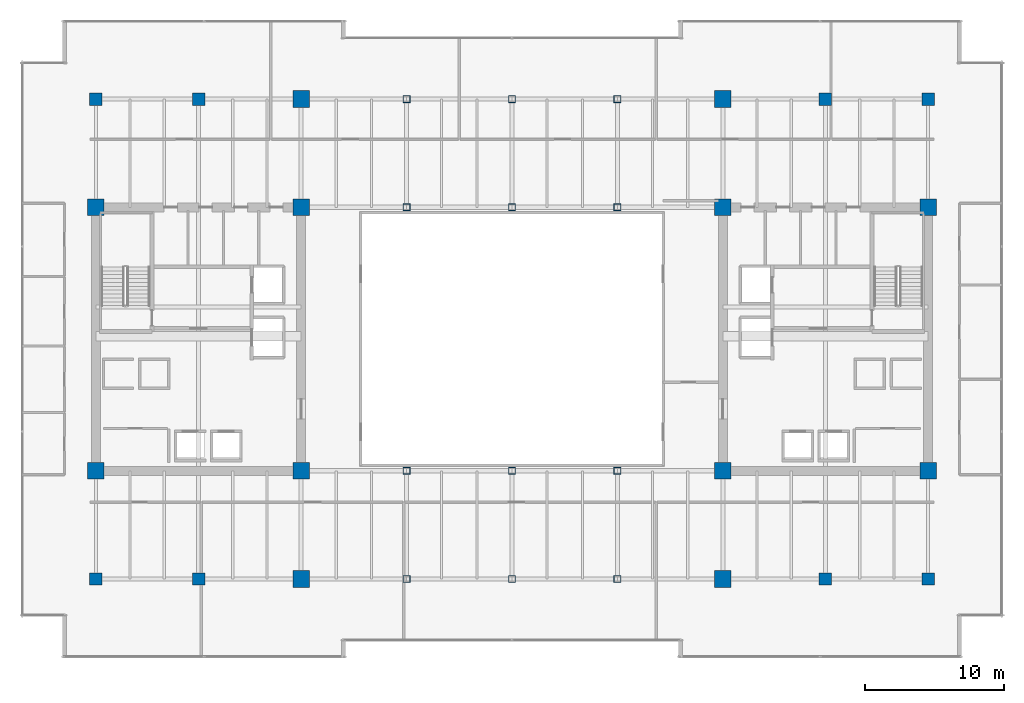
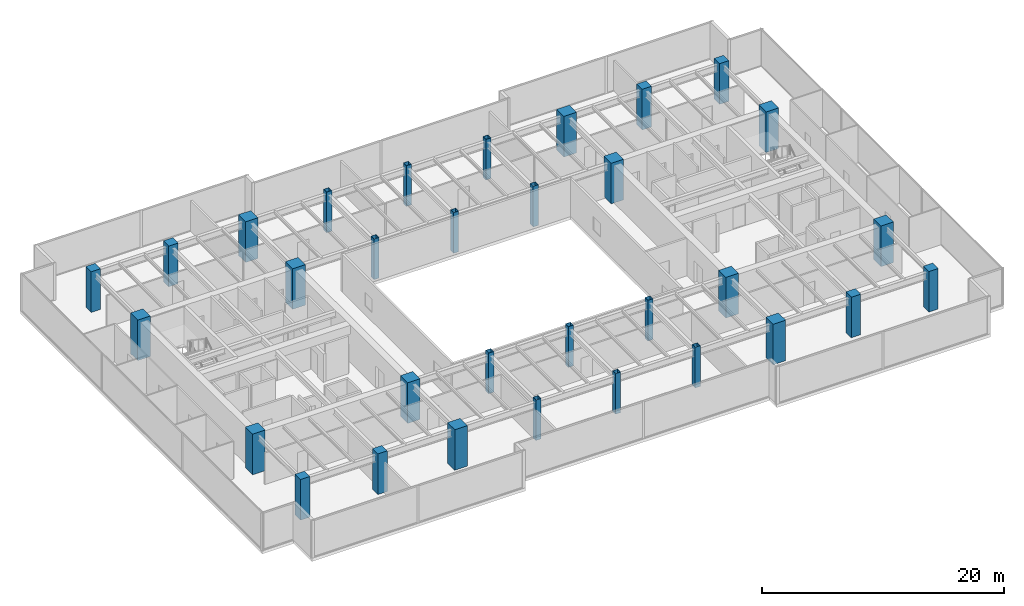
# One storey, part 1 of 31: 32 columns.
"""IFC4 building model written with IfcOpenShell, lengths in metres."""

from ifc_helpers import new_model, si_unit, direction, frame, origin, origin_2d, place, context, subcontext, project, spatial, rectangle, hollow_rectangle, extrude, source, transform, mapped, material, material_profile, profile_set, type_object, type_shapes, element, save


model = new_model("IFC4")

# Units and contexts
model_context = context("Model", 3, precision=1e-05, world=origin(), true_north=direction((0.0, 1.0)))
body_context = subcontext(model_context, "Body", "Model", "MODEL_VIEW")
ifc_project = project(units=[si_unit("LENGTHUNIT", "METRE"), si_unit("AREAUNIT", "SQUARE_METRE"), si_unit("VOLUMEUNIT", "CUBIC_METRE"), si_unit("PLANEANGLEUNIT", "RADIAN"), si_unit("MASSUNIT", "GRAM", prefix="KILO")], contexts=[model_context])

# Site, building, storey
site_placement = place(None, origin())
site = spatial("IfcSite", under=ifc_project, at=site_placement, CompositionType="ELEMENT")
building_placement = place(site_placement, origin())
building = spatial("IfcBuilding", under=site, at=building_placement, Name="Haelvirn Gate Laboratories", CompositionType="ELEMENT")
storey_placement = place(building_placement, frame((0.0, 0.0, 154.300048828125)))
storey = spatial("IfcBuildingStorey", under=building, at=storey_placement, Name="L37", CompositionType="ELEMENT", Elevation=154.300048828125)

# Columns
ifc_material_1 = material(Name="Concrete C50/60", Category="concrete")
ifc_material_profile_1 = material_profile(ifc_material_1, rectangle(XDim=0.89990234375, YDim=0.89990234375, at=origin_2d()), Name="RC-900x900")
ifc_profile_set_1 = profile_set([ifc_material_profile_1], Name="Concrete C50/60")
column_type_1 = type_object("IfcColumnType", Name="COL-RC-900", PredefinedType="COLUMN", material=ifc_profile_set_1)
shared_shape_1 = source(origin(), body_context, "Body", "SweptSolid", [
    extrude(rectangle(XDim=0.89990234375, YDim=0.89990234375, at=origin_2d()), origin(), (0.0, 0.0, 1.0), 4.099853515625),
])
type_shapes(column_type_1, [shared_shape_1])
for number, where, z_axis, x_axis, name in (
    (1, (14.800048828125, 7.0, 0.0), (0.0, 0.0, 1.0), (1.0, 0.0, 0.0), "L37 Column 3B"),
    (2, (14.800048828125, 41.60009765625, 0.0), (0.0, 0.0, 1.0), (1.0, 0.0, 0.0), "L37 Column 3G"),
    (3, (60.0, 7.0, 0.0), (0.0, 0.0, 1.0), (1.0, 0.0, 0.0), "L37 Column 9B"),
    (4, (60.0, 41.60009765625, 0.0), (0.0, 0.0, 1.0), (1.0, 0.0, 0.0), "L37 Column 9G"),
    (5, (7.39990234375, 7.0, 0.0), (0.0, 0.0, 1.0), (1.0, 0.0, 0.0), "L37 Column 2B"),
    (6, (7.39990234375, 41.60009765625, 0.0), (0.0, 0.0, 1.0), (1.0, 0.0, 0.0), "L37 Column 2G"),
    (7, (67.39990234375, 7.0, 0.0), (0.0, 0.0, 1.0), (1.0, 0.0, 0.0), "L37 Column 10B"),
    (8, (67.39990234375, 41.60009765625, 0.0), (0.0, 0.0, 1.0), (1.0, 0.0, 0.0), "L37 Column 10G"),
):
    element("IfcColumn", number, at=place(storey_placement, frame(where, z_axis=z_axis, x_axis=x_axis)), inside=storey, type_object=column_type_1, Name=name, PredefinedType="COLUMN", context=body_context, shape_type="MappedRepresentation", body=[
        mapped(shared_shape_1, transform((0.0, 0.0, 0.0), scale=1.0)),
    ])
ifc_material_2 = material(Name="Concrete C60/75", Category="concrete")
ifc_material_profile_2 = material_profile(ifc_material_2, rectangle(XDim=1.199951171875, YDim=1.199951171875, at=origin_2d()), Name="SRC-1200x1200")
ifc_profile_set_2 = profile_set([ifc_material_profile_2], Name="Concrete C60/75")
column_type_2 = type_object("IfcColumnType", Name="COL-SRC-1200", PredefinedType="COLUMN", material=ifc_profile_set_2)
shared_shape_2 = source(origin(), body_context, "Body", "SweptSolid", [
    extrude(rectangle(XDim=1.199951171875, YDim=1.199951171875, at=origin_2d()), origin(), (0.0, 0.0, 1.0), 4.099853515625),
])
type_shapes(column_type_2, [shared_shape_2])
for number, where, z_axis, x_axis, name in (
    (9, (22.199951171875, 7.0, 0.0), (0.0, 0.0, 1.0), (1.0, 0.0, 0.0), "L37 Column 4B"),
    (10, (7.39990234375, 14.800048828125, 0.0), (0.0, 0.0, 1.0), (1.0, 0.0, 0.0), "L37 Column 2C"),
    (11, (22.199951171875, 14.800048828125, 0.0), (0.0, 0.0, 1.0), (1.0, 0.0, 0.0), "L37 Column 4C"),
    (12, (7.39990234375, 33.800048828125, 0.0), (0.0, 0.0, 1.0), (1.0, 0.0, 0.0), "L37 Column 2F"),
    (13, (22.199951171875, 33.800048828125, 0.0), (0.0, 0.0, 1.0), (1.0, 0.0, 0.0), "L37 Column 4F"),
    (14, (22.199951171875, 41.60009765625, 0.0), (0.0, 0.0, 1.0), (1.0, 0.0, 0.0), "L37 Column 4G"),
    (15, (52.60009765625, 7.0, 0.0), (0.0, 0.0, 1.0), (1.0, 0.0, 0.0), "L37 Column 8B"),
    (16, (52.60009765625, 14.800048828125, 0.0), (0.0, 0.0, 1.0), (1.0, 0.0, 0.0), "L37 Column 8C"),
    (17, (67.39990234375, 14.800048828125, 0.0), (0.0, 0.0, 1.0), (1.0, 0.0, 0.0), "L37 Column 10C"),
    (18, (52.60009765625, 33.800048828125, 0.0), (0.0, 0.0, 1.0), (1.0, 0.0, 0.0), "L37 Column 8F"),
    (19, (67.39990234375, 33.800048828125, 0.0), (0.0, 0.0, 1.0), (1.0, 0.0, 0.0), "L37 Column 10F"),
    (20, (52.60009765625, 41.60009765625, 0.0), (0.0, 0.0, 1.0), (1.0, 0.0, 0.0), "L37 Column 8G"),
):
    element("IfcColumn", number, at=place(storey_placement, frame(where, z_axis=z_axis, x_axis=x_axis)), inside=storey, type_object=column_type_2, Name=name, PredefinedType="COLUMN", context=body_context, shape_type="MappedRepresentation", body=[
        mapped(shared_shape_2, transform((0.0, 0.0, 0.0), scale=1.0)),
    ])
ifc_material_3 = material(Name="Steel SM355", Category="steel")
ifc_material_profile_3 = material_profile(ifc_material_3, hollow_rectangle(XDim=0.5, YDim=0.5, WallThickness=0.02197265625, at=origin_2d()), Name="BOX-500x500x22")
ifc_profile_set_3 = profile_set([ifc_material_profile_3], Name="Steel SM355")
column_type_3 = type_object("IfcColumnType", Name="COL-BOX-500", PredefinedType="COLUMN", material=ifc_profile_set_3)
shared_shape_3 = source(origin(), body_context, "Body", "SweptSolid", [
    extrude(hollow_rectangle(XDim=0.5, YDim=0.5, WallThickness=0.02197265625, at=origin_2d()), origin(), (0.0, 0.0, 1.0), 4.099853515625),
])
type_shapes(column_type_3, [shared_shape_3])
for number, where, z_axis, x_axis, name in (
    (21, (29.800048828125, 7.0, 0.0), (0.0, 0.0, 1.0), (1.0, 0.0, 0.0), "L37 Column 5B"),
    (22, (29.800048828125, 14.800048828125, 0.0), (0.0, 0.0, 1.0), (1.0, 0.0, 0.0), "L37 Column 5C"),
    (23, (29.800048828125, 33.800048828125, 0.0), (0.0, 0.0, 1.0), (1.0, 0.0, 0.0), "L37 Column 5F"),
    (24, (29.800048828125, 41.60009765625, 0.0), (0.0, 0.0, 1.0), (1.0, 0.0, 0.0), "L37 Column 5G"),
    (25, (37.39990234375, 7.0, 0.0), (0.0, 0.0, 1.0), (1.0, 0.0, 0.0), "L37 Column 6B"),
    (26, (37.39990234375, 14.800048828125, 0.0), (0.0, 0.0, 1.0), (1.0, 0.0, 0.0), "L37 Column 6C"),
    (27, (37.39990234375, 33.800048828125, 0.0), (0.0, 0.0, 1.0), (1.0, 0.0, 0.0), "L37 Column 6F"),
    (28, (37.39990234375, 41.60009765625, 0.0), (0.0, 0.0, 1.0), (1.0, 0.0, 0.0), "L37 Column 6G"),
    (29, (45.0, 7.0, 0.0), (0.0, 0.0, 1.0), (1.0, 0.0, 0.0), "L37 Column 7B"),
    (30, (45.0, 14.800048828125, 0.0), (0.0, 0.0, 1.0), (1.0, 0.0, 0.0), "L37 Column 7C"),
    (31, (45.0, 33.800048828125, 0.0), (0.0, 0.0, 1.0), (1.0, 0.0, 0.0), "L37 Column 7F"),
    (32, (45.0, 41.60009765625, 0.0), (0.0, 0.0, 1.0), (1.0, 0.0, 0.0), "L37 Column 7G"),
):
    element("IfcColumn", number, at=place(storey_placement, frame(where, z_axis=z_axis, x_axis=x_axis)), inside=storey, type_object=column_type_3, Name=name, PredefinedType="COLUMN", context=body_context, shape_type="MappedRepresentation", body=[
        mapped(shared_shape_3, transform((0.0, 0.0, 0.0), scale=1.0)),
    ])

save(model, "model.ifc")
